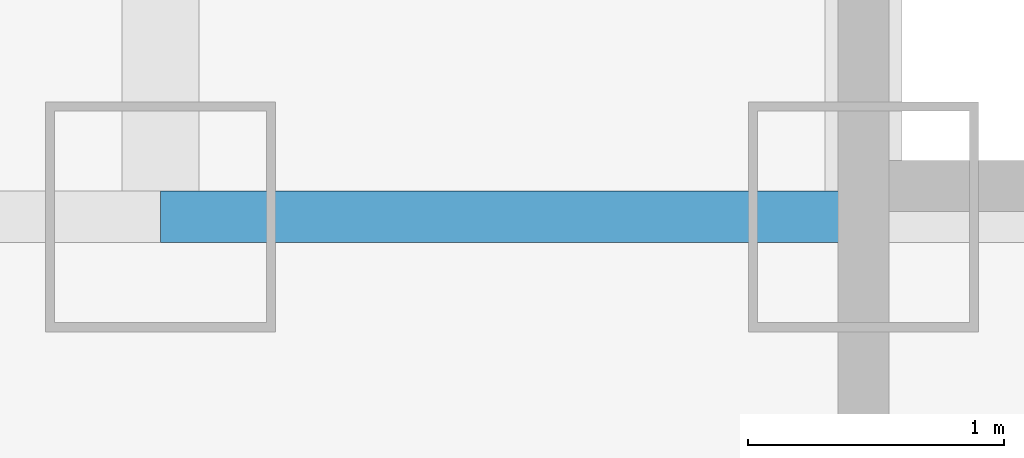
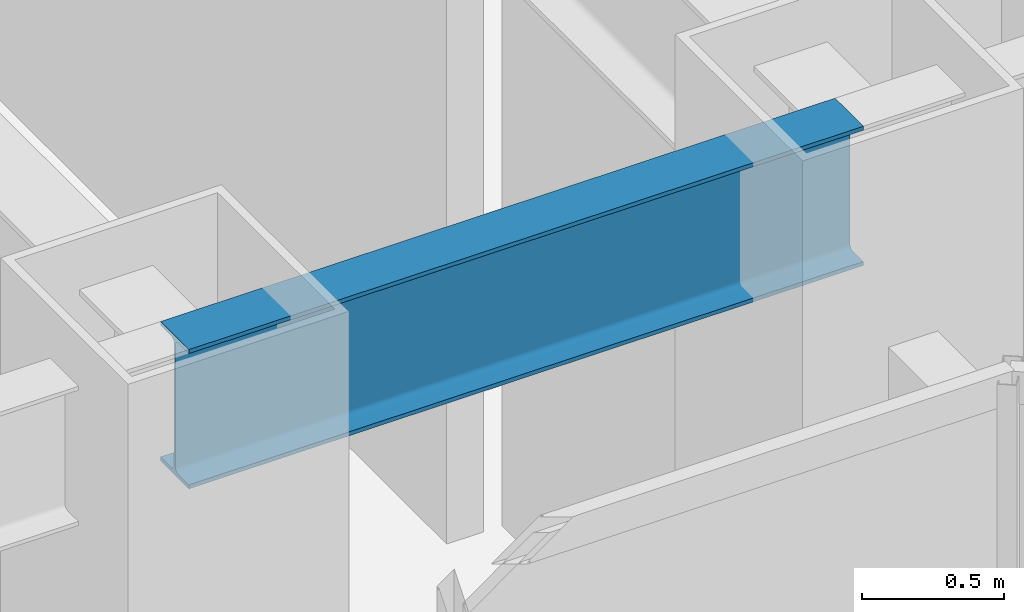
# One storey, part 6 of 36: 1 beam.
"""IFC4 building model written with IfcOpenShell, lengths in metres."""

from ifc_helpers import new_model, si_unit, direction, frame, origin, origin_2d, place, context, subcontext, project, spatial, i_section, extrude, material, material_profile, profile_set, type_object, element, save


model = new_model("IFC4")

# Units and contexts
model_context = context("Model", 3, precision=1e-05, world=origin(), true_north=direction((0.0, 1.0)))
body_context = subcontext(model_context, "Body", "Model", "MODEL_VIEW")
ifc_project = project(units=[si_unit("LENGTHUNIT", "METRE"), si_unit("AREAUNIT", "SQUARE_METRE"), si_unit("VOLUMEUNIT", "CUBIC_METRE"), si_unit("PLANEANGLEUNIT", "RADIAN"), si_unit("MASSUNIT", "GRAM", prefix="KILO")], contexts=[model_context])

# Site, building, storey
site_placement = place(None, origin())
site = spatial("IfcSite", under=ifc_project, at=site_placement, CompositionType="ELEMENT")
building_placement = place(site_placement, origin())
building = spatial("IfcBuilding", under=site, at=building_placement, Name="Hatsunagi Terrace Concourse", CompositionType="ELEMENT")
storey_placement = place(building_placement, frame((0.0, 0.0, 84.64990234375)))
storey = spatial("IfcBuildingStorey", under=building, at=storey_placement, Name="L22", CompositionType="ELEMENT", Elevation=84.64990234375)

# Beam
ifc_material = material(Name="Steel SN490B", Category="steel")
ifc_material_profile = material_profile(ifc_material, i_section(OverallWidth=0.199951171875, OverallDepth=0.60009765625, WebThickness=0.010986328125, FlangeThickness=0.01708984375, FilletRadius=0.01806640625, at=origin_2d()), Name="H-600x200x11x17")
ifc_profile_set = profile_set([ifc_material_profile], Name="Steel SN490B")
beam_type = type_object("IfcBeamType", Name="PerimeterSpandrel_H_600x200", PredefinedType="SPANDREL", material=ifc_profile_set)
beam_placement = place(storey_placement, frame((22.800048828125, 25.199951171875, 2.830078125), z_axis=(1.0, 0.0, 0.0), x_axis=(0.0, 1.0, 0.0)))
element("IfcBeam", 1, at=beam_placement, inside=storey, type_object=beam_type, Name="Beam SP-01 BM-L22-WS-22", PredefinedType="SPANDREL", context=body_context, shape_type="SweptSolid", body=[
    extrude(i_section(OverallWidth=0.199951171875, OverallDepth=0.60009765625, WebThickness=0.010986328125, FlangeThickness=0.01708984375, FilletRadius=0.01806640625, at=origin_2d()), origin(), (0.0, 0.0, 1.0), 2.75),
])

save(model, "model.ifc")
